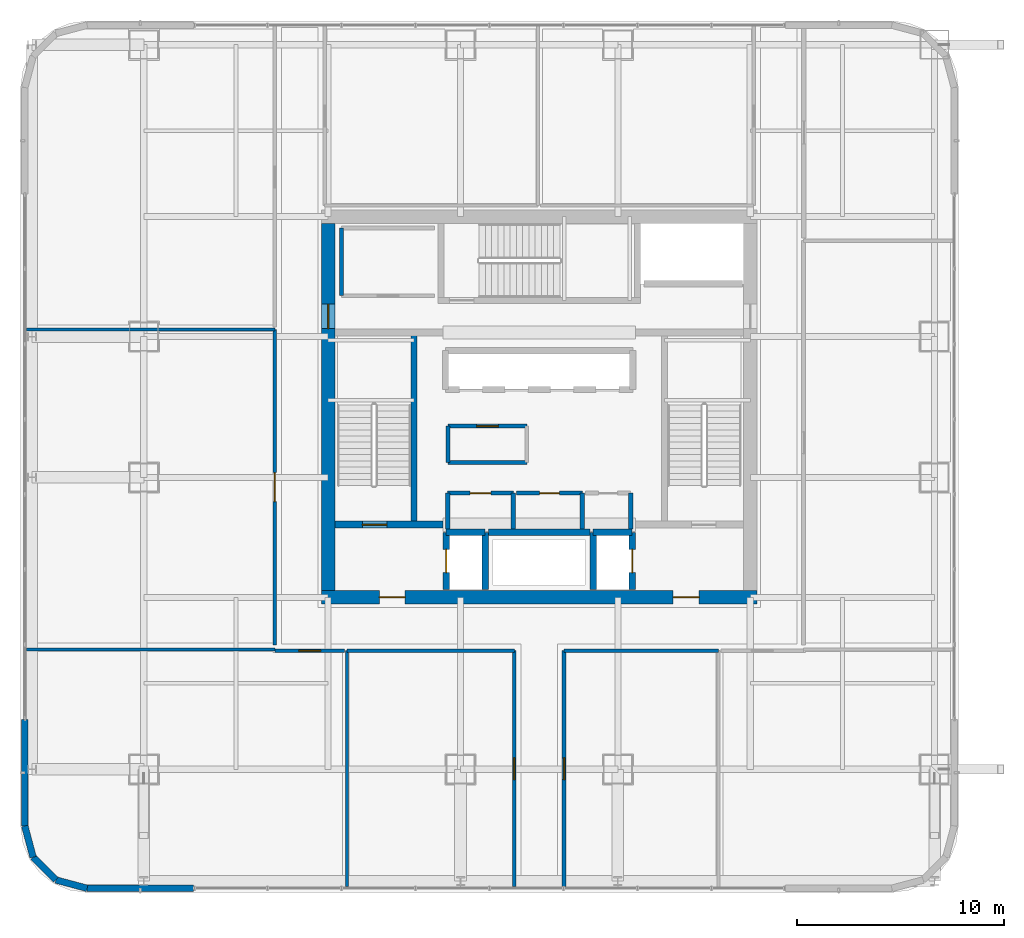
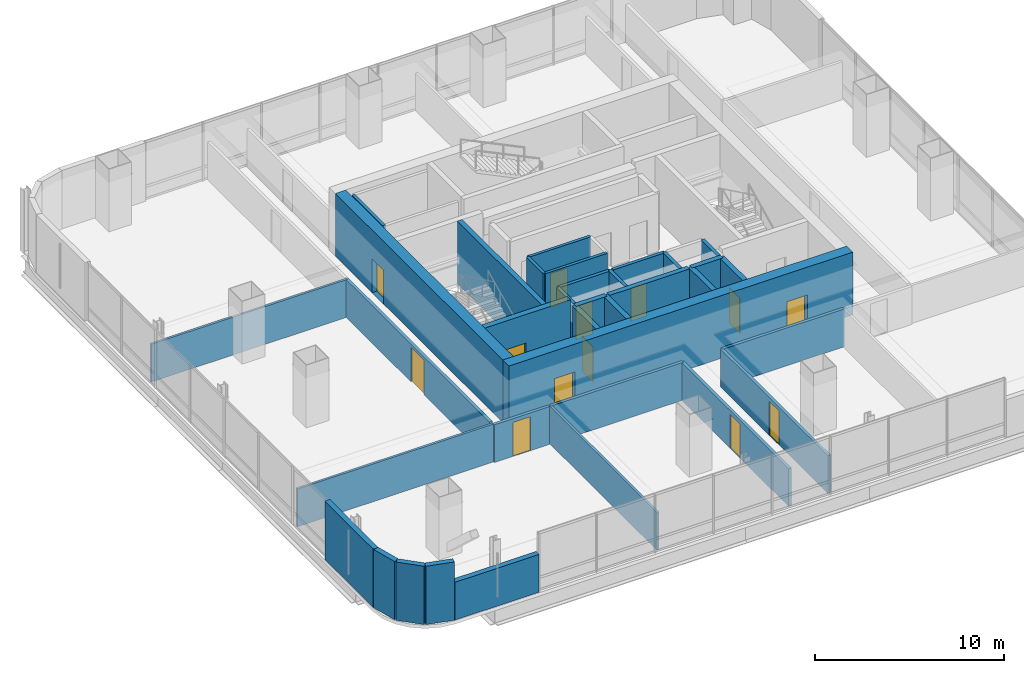
# One storey, part 32 of 46: 35 walls, 13 doors, 13 openings.
"""IFC4 building model written with IfcOpenShell, lengths in metres."""

import ifcopenshell
import ifcopenshell.guid

model = None  # the IFC model being written
_history = None  # IfcOwnerHistory: only IFC2X3 demands one
_inside = {}  # id of a spatial element -> (the spatial element, [elements in it])
_under = {}  # id of a project, library or spatial element -> (it, [spatial elements below it])
_declared = {}  # id of a project -> (the project, [libraries it declares])
_typed = {}  # id of a type object -> (the type object, [elements of that type])
_made_of = {}  # id of a material, layer set ... -> (it, [elements and type objects made of it])


def new_model(schema):
    """Start an empty IFC model of exactly this schema.

    Asked for "IFC4X3", IfcOpenShell would pick the latest addendum, in which some entities
    have other attributes; the version numbers below select the first issue.
    IFC2X3 requires an IfcOwnerHistory on every rooted entity: one is made here for all.
    """
    global model, _history
    if schema == "IFC4X3":
        model = ifcopenshell.file(schema_version=(4, 3, 0, 0))
    else:
        model = ifcopenshell.file(schema=schema)
    _inside.clear()
    _under.clear()
    _declared.clear()
    _typed.clear()
    _made_of.clear()
    _history = None
    if model.schema == "IFC2X3":
        org = make("IfcOrganization", Name="unknown")
        user = make(
            "IfcPersonAndOrganization",
            ThePerson=make("IfcPerson", FamilyName="unknown"),
            TheOrganization=org,
        )
        app = make(
            "IfcApplication",
            ApplicationDeveloper=org,
            Version="unknown",
            ApplicationFullName="unknown",
            ApplicationIdentifier="unknown",
        )
        _history = make(
            "IfcOwnerHistory",
            OwningUser=user,
            OwningApplication=app,
            ChangeAction="ADDED",
            CreationDate=0,
        )
    return model


def make(cls, **values):
    """One entity of the class cls with the attributes given. An attribute that is None is left unset."""
    return model.create_entity(
        cls, **{name: value for name, value in values.items() if value is not None}
    )


def rooted(cls, **values):
    """An entity with a GlobalId (a new one), such as an element, a storey or a relation."""
    return make(cls, GlobalId=ifcopenshell.guid.new(), OwnerHistory=_history, **values)


def si_unit(unit_type, name, prefix=None):
    """IfcSIUnit, for example si_unit("LENGTHUNIT", "METRE", prefix="MILLI")."""
    return make("IfcSIUnit", UnitType=unit_type, Prefix=prefix, Name=name)


def assignment(units):
    """IfcUnitAssignment: the units of a project."""
    return None if units is None else make("IfcUnitAssignment", Units=units)


def point(xyz):
    """IfcCartesianPoint."""
    return None if xyz is None else make("IfcCartesianPoint", Coordinates=xyz)


def direction(xyz):
    """IfcDirection."""
    return None if xyz is None else make("IfcDirection", DirectionRatios=xyz)


def frame(location, z_axis=None, x_axis=None):
    """IfcAxis2Placement3D, a coordinate frame: its origin and axes. An axis left out is left unset."""
    return make(
        "IfcAxis2Placement3D",
        Location=point(location),
        Axis=direction(z_axis),
        RefDirection=direction(x_axis),
    )


def frame_2d(location, x_axis=None):
    """IfcAxis2Placement2D, a coordinate frame in the plane: its origin and x axis."""
    return make(
        "IfcAxis2Placement2D", Location=point(location), RefDirection=direction(x_axis)
    )


def origin():
    """The frame at (0, 0, 0) with its axes left unset."""
    return frame((0.0, 0.0, 0.0))


def place(relative_to, where):
    """IfcLocalPlacement: puts the frame where relative to a parent placement (None: the world)."""
    return make(
        "IfcLocalPlacement", PlacementRelTo=relative_to, RelativePlacement=where
    )


def context(
    kind, dimensions, precision=None, world=None, true_north=None, identifier=None
):
    """IfcGeometricRepresentationContext, for example the 3D "Model" context."""
    return make(
        "IfcGeometricRepresentationContext",
        ContextIdentifier=identifier,
        ContextType=kind,
        CoordinateSpaceDimension=dimensions,
        Precision=precision,
        WorldCoordinateSystem=world,
        TrueNorth=true_north,
    )


def subcontext(parent, identifier, kind, view, scale=None):
    """IfcGeometricRepresentationSubContext, for example "Body" below "Model"."""
    return make(
        "IfcGeometricRepresentationSubContext",
        ContextIdentifier=identifier,
        ContextType=kind,
        ParentContext=parent,
        TargetScale=scale,
        TargetView=view,
    )


def project(units=None, contexts=None):
    """IfcProject with its units and contexts."""
    return rooted(
        "IfcProject",
        Name="project",
        RepresentationContexts=contexts,
        UnitsInContext=assignment(units),
    )


def spatial(cls, under=None, at=None, **own):
    """A site, building, storey or space (cls), placed at a placement, below another one or the project."""
    s = rooted(cls, ObjectPlacement=at, **own)
    if under is not None:
        _under.setdefault(under.id(), (under, []))[1].append(s)
    return s


def profile(cls, at=None, kind="AREA", **sizes):
    """A parametric profile (cls). Its sizes go by their IFC names, for example OverallWidth=200.0."""
    return make(cls, ProfileType=kind, Position=at, **sizes)


def rectangle(**sizes):
    """IfcRectangleProfileDef."""
    return profile("IfcRectangleProfileDef", **sizes)


def extrude(swept, where, along, depth):
    """IfcExtrudedAreaSolid: the profile swept, set in the frame where, extruded along a direction by depth."""
    return make(
        "IfcExtrudedAreaSolid",
        SweptArea=swept,
        Position=where,
        ExtrudedDirection=direction(along),
        Depth=depth,
    )


def shape(context_of_items, identifier, shape_type, items):
    """IfcShapeRepresentation: the items that make up one representation, for example the "Body"."""
    return make(
        "IfcShapeRepresentation",
        ContextOfItems=context_of_items,
        RepresentationIdentifier=identifier,
        RepresentationType=shape_type,
        Items=items,
    )


def material(Name=None, Category=None):
    """IfcMaterial."""
    return make("IfcMaterial", Name=Name, Category=Category)


def layer(
    of_material, thickness, ventilated=None, Name=None, Category=None, Priority=None
):
    """IfcMaterialLayer: one layer of a wall or slab, of a material (None: an air gap)."""
    return make(
        "IfcMaterialLayer",
        Material=of_material,
        LayerThickness=thickness,
        IsVentilated=ventilated,
        Name=Name,
        Category=Category,
        Priority=Priority,
    )


def layer_set(layers, Name=None):
    """IfcMaterialLayerSet."""
    return make("IfcMaterialLayerSet", MaterialLayers=layers, LayerSetName=Name)


def made_of(thing, what):
    """Note that an element or type object is made of a material, layer set ...; save() writes the relation."""
    if what is not None:
        _made_of.setdefault(what.id(), (what, []))[1].append(thing)
    return thing


def type_object(cls, material=None, **own):
    """A type object (cls), such as IfcWallType, which elements share."""
    return made_of(rooted(cls, **own), material)


def element(
    cls,
    number,
    at=None,
    inside=None,
    cuts=None,
    type_object=None,
    material=None,
    context=None,
    identifier="Body",
    shape_type=None,
    held_by="IfcProductDefinitionShape",
    body=None,
    shapes=None,
    **own,
):
    """One element of the class cls, such as IfcWall. Its Tag is "e" and its number.

    at: its placement. inside: the storey or other place that contains it. cuts: it is an
    opening in that element (IfcRelVoidsElement). A single representation is given by context,
    identifier, shape_type and body (its items); several are given by shapes. held_by: the class
    of the entity that holds the representations. save() writes the other relations.
    """
    e = rooted(cls, Tag="e%d" % number, ObjectPlacement=at, **own)
    if body is not None:
        shapes = [shape(context, identifier, shape_type, body)]
    if shapes is not None:
        e.Representation = make(held_by, Representations=shapes)
    if inside is not None:
        _inside.setdefault(inside.id(), (inside, []))[1].append(e)
    if cuts is not None:
        rooted(
            "IfcRelVoidsElement", RelatingBuildingElement=cuts, RelatedOpeningElement=e
        )
    if type_object is not None:
        _typed.setdefault(type_object.id(), (type_object, []))[1].append(e)
    return made_of(e, material)


def fill(opening, filler):
    """IfcRelFillsElement: the door or window that sits in an opening."""
    return rooted(
        "IfcRelFillsElement",
        RelatingOpeningElement=opening,
        RelatedBuildingElement=filler,
    )


def aggregate(whole, parts):
    """IfcRelAggregates: a whole, such as a stair, and the parts it consists of."""
    return rooted("IfcRelAggregates", RelatingObject=whole, RelatedObjects=parts)


def save(model, path):
    """Write the relations noted so far, then the file.

    IfcRelAggregates (storeys below a building ...), IfcRelContainedInSpatialStructure (elements
    in a storey), IfcRelDefinesByType, IfcRelAssociatesMaterial and IfcRelDeclares: one each for
    every whole, place, type object, material and project.
    """
    for whole, parts in _under.values():
        aggregate(whole, parts)
    for where, things in _inside.values():
        rooted(
            "IfcRelContainedInSpatialStructure",
            RelatedElements=things,
            RelatingStructure=where,
        )
    for kind, things in _typed.values():
        rooted("IfcRelDefinesByType", RelatedObjects=things, RelatingType=kind)
    for what, things in _made_of.values():
        rooted("IfcRelAssociatesMaterial", RelatedObjects=things, RelatingMaterial=what)
    for by, libraries in _declared.values():
        rooted("IfcRelDeclares", RelatingContext=by, RelatedDefinitions=libraries)
    model.write(path)


model = new_model("IFC4")

# Units and contexts
model_context = context("Model", 3, precision=1e-05, world=origin(), true_north=direction((0.0, 1.0)))
body_context = subcontext(model_context, "Body", "Model", "MODEL_VIEW")
ifc_project = project(units=[si_unit("LENGTHUNIT", "METRE"), si_unit("AREAUNIT", "SQUARE_METRE"), si_unit("VOLUMEUNIT", "CUBIC_METRE"), si_unit("PLANEANGLEUNIT", "RADIAN"), si_unit("MASSUNIT", "GRAM", prefix="KILO")], contexts=[model_context])

# Site, building, storey
site_placement = place(None, origin())
site = spatial("IfcSite", under=ifc_project, at=site_placement, CompositionType="ELEMENT")
building_placement = place(site_placement, origin())
building = spatial("IfcBuilding", under=site, at=building_placement, Name="Punatoya Terracotta Tower", CompositionType="ELEMENT")
storey_placement = place(building_placement, frame((0.0, 0.0, 200.550048828125)))
storey = spatial("IfcBuildingStorey", under=building, at=storey_placement, Name="L47", CompositionType="ELEMENT", Elevation=200.550048828125)

# Wall, openings, doors
ifc_material_1 = material(Name="Concrete C60/75", Category="concrete")
ifc_layer_1 = layer(ifc_material_1, 0.64990234375)
ifc_layer_set_1 = layer_set([ifc_layer_1], Name="Concrete C60/75")
wall_type_1 = type_object("IfcWallType", Name="WL-COR-650", PredefinedType="SHEAR", material=ifc_layer_set_1)
wall_1_placement = place(storey_placement, frame((10.52490234375, -9.199951171875, 0.0), z_axis=(0.0, 0.0, 1.0), x_axis=(-1.0, 0.0, 0.0)))
wall_1 = element("IfcWall", 1, at=wall_1_placement, inside=storey, type_object=wall_type_1, Name="L47 Core Shear Wall S", PredefinedType="SHEAR", context=body_context, shape_type="SweptSolid", body=[
    extrude(rectangle(XDim=21.0498046875, YDim=0.64990234375, at=frame_2d((10.52490234375, 0.0))), origin(), (0.0, 0.0, 1.0), 4.050048828125),
])
opening_1_placement = place(wall_1_placement, frame((2.800048828125, 0.0, 0.0)))
opening_1 = element("IfcOpeningElement", 2, at=opening_1_placement, cuts=wall_1, Name="Opening FD-L1", PredefinedType="OPENING", context=body_context, shape_type="SweptSolid", body=[
    extrude(rectangle(XDim=1.25, YDim=2.25, at=frame_2d((0.625, 1.125))), frame((0.0, 0.3349609375, 0.0), z_axis=(0.0, -1.0, 0.0), x_axis=(1.0, 0.0, 0.0)), (0.0, 0.0, 1.0), 0.669921875),
])
opening_2_placement = place(wall_1_placement, frame((17.0, 0.0, 0.0)))
opening_2 = element("IfcOpeningElement", 3, at=opening_2_placement, cuts=wall_1, Name="Opening FD-L1", PredefinedType="OPENING", context=body_context, shape_type="SweptSolid", body=[
    extrude(rectangle(XDim=1.25, YDim=2.25, at=frame_2d((0.625, 1.125))), frame((0.0, 0.3349609375, 0.0), z_axis=(0.0, -1.0, 0.0), x_axis=(1.0, 0.0, 0.0)), (0.0, 0.0, 1.0), 0.669921875),
])
ifc_material_2 = material(Name="Galvanised Steel Smokeproof Fire Door", Category="steel")
door_type_1 = type_object("IfcDoorType", Name="DR-FFL-1250", OperationType="NOTDEFINED", PredefinedType="DOOR", material=ifc_material_2)
door_1_placement = place(opening_1_placement, origin())
door_1 = element("IfcDoor", 4, at=door_1_placement, inside=storey, type_object=door_type_1, Name="L47 East Firefighting Lobby Corridor Fire Door", OperationType="SINGLE_SWING_LEFT", OverallHeight=2.25, OverallWidth=1.25, PredefinedType="DOOR", context=body_context, shape_type="SweptSolid", body=[
    extrude(rectangle(XDim=1.25, YDim=2.25, at=frame_2d((0.625, 1.125))), frame((0.0, 0.02490234375, 0.0), z_axis=(0.0, -1.0, 0.0), x_axis=(1.0, 0.0, 0.0)), (0.0, 0.0, 1.0), 0.050048828125),
])
fill(opening_1, door_1)
door_2_placement = place(opening_2_placement, origin())
door_2 = element("IfcDoor", 5, at=door_2_placement, inside=storey, type_object=door_type_1, Name="L47 West Firefighting Lobby Corridor Fire Door", OperationType="SINGLE_SWING_RIGHT", OverallHeight=2.25, OverallWidth=1.25, PredefinedType="DOOR", context=body_context, shape_type="SweptSolid", body=[
    extrude(rectangle(XDim=1.25, YDim=2.25, at=frame_2d((0.625, 1.125))), frame((0.0, 0.02490234375, 0.0), z_axis=(0.0, -1.0, 0.0), x_axis=(1.0, 0.0, 0.0)), (0.0, 0.0, 1.0), 0.050048828125),
])
fill(opening_2, door_2)

# Wall, opening, door
wall_2_placement = place(storey_placement, frame((-10.199951171875, -8.875, 0.0), z_axis=(0.0, 0.0, 1.0), x_axis=(0.0, 1.0, 0.0)))
wall_2 = element("IfcWall", 6, at=wall_2_placement, inside=storey, type_object=wall_type_1, Name="L47 Core Shear Wall W", PredefinedType="SHEAR", context=body_context, shape_type="SweptSolid", body=[
    extrude(rectangle(XDim=17.75, YDim=0.64990234375, at=frame_2d((8.875, 0.0))), origin(), (0.0, 0.0, 1.0), 4.050048828125),
])
opening_3_placement = place(wall_2_placement, frame((12.6650390625, 0.0, 0.0)))
opening_3 = element("IfcOpeningElement", 7, at=opening_3_placement, cuts=wall_2, Name="Opening SD-01", PredefinedType="OPENING", context=body_context, shape_type="SweptSolid", body=[
    extrude(rectangle(XDim=1.179931640625, YDim=2.199951171875, at=frame_2d((0.58984375, 1.10009765625))), frame((0.0, 0.3349609375, 0.0), z_axis=(0.0, -1.0, 0.0), x_axis=(1.0, 0.0, 0.0)), (0.0, 0.0, 1.0), 0.669921875),
])
ifc_material_3 = material(Name="Galvanised Steel Pressurized Stair Fire Door", Category="steel")
door_type_2 = type_object("IfcDoorType", Name="DR-STR-1180", OperationType="NOTDEFINED", PredefinedType="DOOR", material=ifc_material_3)
door_3_placement = place(opening_3_placement, origin())
door_3 = element("IfcDoor", 8, at=door_3_placement, inside=storey, type_object=door_type_2, Name="L47 Central Lift Lobby West Fire Door", OperationType="SINGLE_SWING_LEFT", OverallHeight=2.199951171875, OverallWidth=1.179931640625, PredefinedType="DOOR", context=body_context, shape_type="SweptSolid", body=[
    extrude(rectangle(XDim=1.179931640625, YDim=2.199951171875, at=frame_2d((0.58984375, 1.10009765625))), frame((0.0, 0.02490234375, 0.0), z_axis=(0.0, -1.0, 0.0), x_axis=(1.0, 0.0, 0.0)), (0.0, 0.0, 1.0), 0.050048828125),
])
fill(opening_3, door_3)

ifc_material_4 = material(Name="Gypsum Fireboard + Steel Stud", Category="steel")
ifc_layer_2 = layer(ifc_material_4, 0.179931640625)
ifc_layer_set_2 = layer_set([ifc_layer_2], Name="Gypsum Fireboard + Steel Stud")
wall_type_2 = type_object("IfcWallType", Name="WL-CORR-180", PredefinedType="PARTITIONING", material=ifc_layer_set_2)
wall_3_placement = place(storey_placement, frame((-0.60009765625, -0.919921875, 0.0), z_axis=(0.0, 0.0, 1.0), x_axis=(-1.0, 0.0, 0.0)))
wall_3 = element("IfcWall", 9, at=wall_3_placement, inside=storey, type_object=wall_type_2, Name="L47 West Core Archive Office Partition 09", PredefinedType="PARTITIONING", context=body_context, shape_type="SweptSolid", body=[
    extrude(rectangle(XDim=3.7998046875, YDim=0.179931640625, at=frame_2d((1.89990234375, 0.0))), origin(), (0.0, 0.0, 1.0), 3.77001953125),
])
opening_4_placement = place(wall_3_placement, frame((1.375, 0.0, 0.0)))
opening_4 = element("IfcOpeningElement", 10, at=opening_4_placement, cuts=wall_3, Name="Opening OD-01", PredefinedType="OPENING", context=body_context, shape_type="SweptSolid", body=[
    extrude(rectangle(XDim=1.050048828125, YDim=2.199951171875, at=frame_2d((0.52490234375, 1.10009765625))), frame((0.0, 0.099853515625, 0.0), z_axis=(0.0, -1.0, 0.0), x_axis=(1.0, 0.0, 0.0)), (0.0, 0.0, 1.0), 0.199951171875),
])
ifc_material_5 = material(Name="Bengal Teak Solid-Core Leaf")
door_type_3 = type_object("IfcDoorType", Name="DR-OFF-1050", OperationType="NOTDEFINED", PredefinedType="DOOR", material=ifc_material_5)
door_4_placement = place(opening_4_placement, origin())
door_4 = element("IfcDoor", 11, at=door_4_placement, inside=storey, type_object=door_type_3, Name="L47 West Archive Office Door", OperationType="SINGLE_SWING_RIGHT", OverallHeight=2.199951171875, OverallWidth=1.050048828125, PredefinedType="DOOR", context=body_context, shape_type="SweptSolid", body=[
    extrude(rectangle(XDim=1.050048828125, YDim=2.199951171875, at=frame_2d((0.52490234375, 1.10009765625))), frame((0.0, 0.02490234375, 0.0), z_axis=(0.0, -1.0, 0.0), x_axis=(1.0, 0.0, 0.0)), (0.0, 0.0, 1.0), 0.050048828125),
])
fill(opening_4, door_4)

# Walls
wall_4_placement = place(storey_placement, frame((-4.39990234375, -0.919921875, 0.0), z_axis=(0.0, 0.0, 1.0), x_axis=(0.0, -1.0, 0.0)))
element("IfcWall", 12, at=wall_4_placement, inside=storey, type_object=wall_type_2, Name="L47 West Core Archive Office Partition 10", PredefinedType="PARTITIONING", context=body_context, shape_type="SweptSolid", body=[
    extrude(rectangle(XDim=1.760009765625, YDim=0.179931640625, at=frame_2d((0.8798828125, 0.0))), origin(), (0.0, 0.0, 1.0), 3.77001953125),
])
wall_5_placement = place(storey_placement, frame((-4.39990234375, -2.679931640625, 0.0), z_axis=(0.0, 0.0, 1.0), x_axis=(1.0, 0.0, 0.0)))
element("IfcWall", 13, at=wall_5_placement, inside=storey, type_object=wall_type_2, Name="L47 West Core Archive Office Partition 11", PredefinedType="PARTITIONING", context=body_context, shape_type="SweptSolid", body=[
    extrude(rectangle(XDim=3.7998046875, YDim=0.179931640625, at=frame_2d((1.89990234375, 0.0))), origin(), (0.0, 0.0, 1.0), 3.77001953125),
])
wall_6_placement = place(storey_placement, frame((-9.550048828125, 8.64990234375, 0.0), z_axis=(0.0, 0.0, 1.0), x_axis=(0.0, -1.0, 0.0)))
element("IfcWall", 14, at=wall_6_placement, inside=storey, type_object=wall_type_2, Name="L47 West Core Records Office Partition 13", PredefinedType="PARTITIONING", context=body_context, shape_type="SweptSolid", body=[
    extrude(rectangle(XDim=3.27001953125, YDim=0.179931640625, at=frame_2d((1.635009765625, 0.0))), origin(), (0.0, 0.0, 1.0), 3.77001953125),
])

# Wall, opening, door
wall_7_placement = place(storey_placement, frame((-1.199951171875, -11.77001953125, 0.0), z_axis=(0.0, 0.0, 1.0), x_axis=(0.0, -1.0, 0.0)))
wall_7 = element("IfcWall", 15, at=wall_7_placement, inside=storey, type_object=wall_type_2, Name="L47 Open-Plan Computational Simulation Laboratory Partition 15", PredefinedType="PARTITIONING", context=body_context, shape_type="SweptSolid", body=[
    extrude(rectangle(XDim=11.39990234375, YDim=0.179931640625, at=frame_2d((5.699951171875, 0.0))), origin(), (0.0, 0.0, 1.0), 2.44384765625),
])
opening_5_placement = place(wall_7_placement, frame((5.175048828125, 0.0, 0.0)))
opening_5 = element("IfcOpeningElement", 16, at=opening_5_placement, cuts=wall_7, Name="Opening OD-01", PredefinedType="OPENING", context=body_context, shape_type="SweptSolid", body=[
    extrude(rectangle(XDim=1.050048828125, YDim=2.199951171875, at=frame_2d((0.52490234375, 1.10009765625))), frame((0.0, 0.099853515625, 0.0), z_axis=(0.0, -1.0, 0.0), x_axis=(1.0, 0.0, 0.0)), (0.0, 0.0, 1.0), 0.199951171875),
])
door_5_placement = place(opening_5_placement, origin())
door_5 = element("IfcDoor", 17, at=door_5_placement, inside=storey, type_object=door_type_3, Name="L47 Open-Plan Computational Simulation Laboratory Door", OperationType="SINGLE_SWING_RIGHT", OverallHeight=2.199951171875, OverallWidth=1.050048828125, PredefinedType="DOOR", context=body_context, shape_type="SweptSolid", body=[
    extrude(rectangle(XDim=1.050048828125, YDim=2.199951171875, at=frame_2d((0.52490234375, 1.10009765625))), frame((0.0, 0.02490234375, 0.0), z_axis=(0.0, -1.0, 0.0), x_axis=(1.0, 0.0, 0.0)), (0.0, 0.0, 1.0), 0.050048828125),
])
fill(opening_5, door_5)

# Wall
wall_8_placement = place(storey_placement, frame((-9.284912109375, -11.77001953125, 0.0), z_axis=(0.0, 0.0, 1.0), x_axis=(1.0, 0.0, 0.0)))
element("IfcWall", 18, at=wall_8_placement, inside=storey, type_object=wall_type_2, Name="L47 Open-Plan Computational Simulation Laboratory Partition 17", PredefinedType="PARTITIONING", context=body_context, shape_type="SweptSolid", body=[
    extrude(rectangle(XDim=8.0849609375, YDim=0.179931640625, at=frame_2d((4.04248046875, 0.0))), origin(), (0.0, 0.0, 1.0), 2.44384765625),
])

# Wall, opening, door
wall_9_placement = place(storey_placement, frame((1.199951171875, -23.169921875, 0.0), z_axis=(0.0, 0.0, 1.0), x_axis=(0.0, 1.0, 0.0)))
wall_9 = element("IfcWall", 19, at=wall_9_placement, inside=storey, type_object=wall_type_2, Name="L47 Open-Plan Cartography Reference Library Partition 18", PredefinedType="PARTITIONING", context=body_context, shape_type="SweptSolid", body=[
    extrude(rectangle(XDim=11.39990234375, YDim=0.179931640625, at=frame_2d((5.699951171875, 0.0))), origin(), (0.0, 0.0, 1.0), 2.44384765625),
])
opening_6_placement = place(wall_9_placement, frame((5.175048828125, 0.0, 0.0)))
opening_6 = element("IfcOpeningElement", 20, at=opening_6_placement, cuts=wall_9, Name="Opening OD-01", PredefinedType="OPENING", context=body_context, shape_type="SweptSolid", body=[
    extrude(rectangle(XDim=1.050048828125, YDim=2.199951171875, at=frame_2d((0.52490234375, 1.10009765625))), frame((0.0, 0.099853515625, 0.0), z_axis=(0.0, -1.0, 0.0), x_axis=(1.0, 0.0, 0.0)), (0.0, 0.0, 1.0), 0.199951171875),
])
door_6_placement = place(opening_6_placement, origin())
door_6 = element("IfcDoor", 21, at=door_6_placement, inside=storey, type_object=door_type_3, Name="L47 Open-Plan Cartography Reference Library Door", OperationType="SINGLE_SWING_LEFT", OverallHeight=2.199951171875, OverallWidth=1.050048828125, PredefinedType="DOOR", context=body_context, shape_type="SweptSolid", body=[
    extrude(rectangle(XDim=1.050048828125, YDim=2.199951171875, at=frame_2d((0.52490234375, 1.10009765625))), frame((0.0, 0.02490234375, 0.0), z_axis=(0.0, -1.0, 0.0), x_axis=(1.0, 0.0, 0.0)), (0.0, 0.0, 1.0), 0.050048828125),
])
fill(opening_6, door_6)

# Wall
wall_10_placement = place(storey_placement, frame((1.199951171875, -11.77001953125, 0.0), z_axis=(0.0, 0.0, 1.0), x_axis=(1.0, 0.0, 0.0)))
element("IfcWall", 22, at=wall_10_placement, inside=storey, type_object=wall_type_2, Name="L47 Open-Plan Cartography Reference Library Partition 19", PredefinedType="PARTITIONING", context=body_context, shape_type="SweptSolid", body=[
    extrude(rectangle(XDim=7.4521484375, YDim=0.179931640625, at=frame_2d((3.72607421875, 0.0))), origin(), (0.0, 0.0, 1.0), 2.44384765625),
])

# Wall, opening, door
wall_11_placement = place(storey_placement, frame((-12.77001953125, -11.77001953125, 0.0), z_axis=(0.0, 0.0, 1.0), x_axis=(1.0, 0.0, 0.0)))
wall_11 = element("IfcWall", 23, at=wall_11_placement, inside=storey, type_object=wall_type_2, Name="L47 Materials Testing Laboratory Partition 22", PredefinedType="PARTITIONING", context=body_context, shape_type="SweptSolid", body=[
    extrude(rectangle(XDim=3.364990234375, YDim=0.179931640625, at=frame_2d((1.6826171875, 0.0))), origin(), (0.0, 0.0, 1.0), 2.44384765625),
])
opening_7_placement = place(wall_11_placement, frame((1.157470703125, 0.0, 0.0)))
opening_7 = element("IfcOpeningElement", 24, at=opening_7_placement, cuts=wall_11, Name="Opening OD-01", PredefinedType="OPENING", context=body_context, shape_type="SweptSolid", body=[
    extrude(rectangle(XDim=1.050048828125, YDim=2.199951171875, at=frame_2d((0.52490234375, 1.10009765625))), frame((0.0, 0.099853515625, 0.0), z_axis=(0.0, -1.0, 0.0), x_axis=(1.0, 0.0, 0.0)), (0.0, 0.0, 1.0), 0.199951171875),
])
door_7_placement = place(opening_7_placement, origin())
door_7 = element("IfcDoor", 25, at=door_7_placement, inside=storey, type_object=door_type_3, Name="L47 Materials Testing Laboratory Door", OperationType="SINGLE_SWING_RIGHT", OverallHeight=2.199951171875, OverallWidth=1.050048828125, PredefinedType="DOOR", context=body_context, shape_type="SweptSolid", body=[
    extrude(rectangle(XDim=1.050048828125, YDim=2.199951171875, at=frame_2d((0.52490234375, 1.10009765625))), frame((0.0, 0.02490234375, 0.0), z_axis=(0.0, -1.0, 0.0), x_axis=(1.0, 0.0, 0.0)), (0.0, 0.0, 1.0), 0.050048828125),
])
fill(opening_7, door_7)

wall_12_placement = place(storey_placement, frame((-12.77001953125, 3.739990234375, 0.0), z_axis=(0.0, 0.0, 1.0), x_axis=(0.0, -1.0, 0.0)))
wall_12 = element("IfcWall", 26, at=wall_12_placement, inside=storey, type_object=wall_type_2, Name="L47 Technical Seminar Room Partition 26", PredefinedType="PARTITIONING", context=body_context, shape_type="SweptSolid", body=[
    extrude(rectangle(XDim=15.22998046875, YDim=0.179931640625, at=frame_2d((7.614990234375, 0.0))), origin(), (0.0, 0.0, 1.0), 2.44384765625),
])
opening_8_placement = place(wall_12_placement, frame((6.9150390625, 0.0, 0.0)))
opening_8 = element("IfcOpeningElement", 27, at=opening_8_placement, cuts=wall_12, Name="Opening BD-01", PredefinedType="OPENING", context=body_context, shape_type="SweptSolid", body=[
    extrude(rectangle(XDim=1.39990234375, YDim=2.25, at=frame_2d((0.699951171875, 1.125))), frame((0.0, 0.099853515625, 0.0), z_axis=(0.0, -1.0, 0.0), x_axis=(1.0, 0.0, 0.0)), (0.0, 0.0, 1.0), 0.199951171875),
])
ifc_material_6 = material(Name="Bengal Teak Acoustic Leaf")
door_type_4 = type_object("IfcDoorType", Name="DR-BRD-1400", OperationType="NOTDEFINED", PredefinedType="DOOR", material=ifc_material_6)
door_8_placement = place(opening_8_placement, origin())
door_8 = element("IfcDoor", 28, at=door_8_placement, inside=storey, type_object=door_type_4, Name="L47 Technical Seminar Room Door", OperationType="SINGLE_SWING_RIGHT", OverallHeight=2.25, OverallWidth=1.39990234375, PredefinedType="DOOR", context=body_context, shape_type="SweptSolid", body=[
    extrude(rectangle(XDim=1.39990234375, YDim=2.25, at=frame_2d((0.699951171875, 1.125))), frame((0.0, 0.02490234375, 0.0), z_axis=(0.0, -1.0, 0.0), x_axis=(1.0, 0.0, 0.0)), (0.0, 0.0, 1.0), 0.050048828125),
])
fill(opening_8, door_8)

# Walls
ifc_material_7 = material(Name="Precast concrete C40/50", Category="concrete")
ifc_layer_3 = layer(ifc_material_7, 0.320068359375)
ifc_layer_set_3 = layer_set([ifc_layer_3], Name="Precast concrete C40/50")
wall_type_3 = type_object("IfcWallType", Name="WL-EXT-320", PredefinedType="SOLIDWALL", material=ifc_layer_set_3)
wall_13_placement = place(storey_placement, frame((-21.8369140625, -23.25, 0.0), z_axis=(0.0, 0.0, 1.0), x_axis=(1.0, 0.0, 0.0)))
element("IfcWall", 29, at=wall_13_placement, inside=storey, type_object=wall_type_3, Name="L47 Terracotta Braced Facade Wall S1", PredefinedType="SOLIDWALL", context=body_context, shape_type="SweptSolid", body=[
    extrude(rectangle(XDim=5.136962890625, YDim=0.320068359375, at=frame_2d((2.568359375, 0.0))), origin(), (0.0, 0.0, 1.0), 2.44384765625),
])
wall_14_placement = place(storey_placement, frame((-24.85009765625, -15.10009765625, 0.0), z_axis=(0.0, 0.0, 1.0), x_axis=(0.0, -1.0, 0.0)))
element("IfcWall", 30, at=wall_14_placement, inside=storey, type_object=wall_type_3, Name="L47 Terracotta Braced Facade Wall W2", PredefinedType="SOLIDWALL", context=body_context, shape_type="SweptSolid", body=[
    extrude(rectangle(XDim=5.13671875, YDim=0.320068359375, at=frame_2d((2.568359375, 0.0))), origin(), (0.0, 0.0, 1.0), 3.77001953125),
])
wall_15_placement = place(storey_placement, frame((-24.85009765625, -20.23681640625, 0.0), z_axis=(0.0, 0.0, 1.0), x_axis=(0.257847112249, -0.966185730957, 0.0)))
element("IfcWall", 31, at=wall_15_placement, inside=storey, type_object=wall_type_3, Name="L47 Rounded Terracotta Corner Pier 14", PredefinedType="SOLIDWALL", context=body_context, shape_type="SweptSolid", body=[
    extrude(rectangle(XDim=1.565185546875, YDim=0.320068359375, at=frame_2d((0.78271484375, 0.0))), origin(), (0.0, 0.0, 1.0), 3.77001953125),
])
wall_16_placement = place(storey_placement, frame((-24.446533203125, -21.7490234375, 0.0), z_axis=(0.0, 0.0, 1.0), x_axis=(0.707028130747, -0.707185422879, 0.0)))
element("IfcWall", 32, at=wall_16_placement, inside=storey, type_object=wall_type_3, Name="L47 Rounded Terracotta Corner Pier 15", PredefinedType="SOLIDWALL", context=body_context, shape_type="SweptSolid", body=[
    extrude(rectangle(XDim=1.55224609375, YDim=0.320068359375, at=frame_2d((0.776123046875, 0.0))), origin(), (0.0, 0.0, 1.0), 3.77001953125),
])
wall_17_placement = place(storey_placement, frame((-23.34912109375, -22.8466796875, 0.0), z_axis=(0.0, 0.0, 1.0), x_axis=(0.966224582397, -0.257701486942, 0.0)))
element("IfcWall", 33, at=wall_17_placement, inside=storey, type_object=wall_type_3, Name="L47 Rounded Terracotta Corner Pier 16", PredefinedType="SOLIDWALL", context=body_context, shape_type="SweptSolid", body=[
    extrude(rectangle(XDim=1.565185546875, YDim=0.320068359375, at=frame_2d((0.78271484375, 0.0))), origin(), (0.0, 0.0, 1.0), 3.77001953125),
])
ifc_material_8 = material(Name="Concrete C40/50", Category="concrete")
ifc_layer_4 = layer(ifc_material_8, 0.199951171875)
ifc_layer_set_4 = layer_set([ifc_layer_4], Name="Concrete C40/50")
wall_type_4 = type_object("IfcWallType", Name="WL-INT-200", PredefinedType="SOLIDWALL", material=ifc_layer_set_4)
wall_18_placement = place(storey_placement, frame((-1.25, -5.89990234375, 0.0), z_axis=(0.0, 0.0, 1.0), x_axis=(0.0, 1.0, 0.0)))
element("IfcWall", 34, at=wall_18_placement, inside=storey, type_object=wall_type_4, Name="L47 Accessible Universal Washroom Partition 01", PredefinedType="SOLIDWALL", context=body_context, shape_type="SweptSolid", body=[
    extrude(rectangle(XDim=1.739990234375, YDim=0.199951171875, at=frame_2d((0.8701171875, 0.0))), origin(), (0.0, 0.0, 1.0), 3.77001953125),
])

# Wall, opening, door
wall_19_placement = place(storey_placement, frame((-1.25, -4.159912109375, 0.0), z_axis=(0.0, 0.0, 1.0), x_axis=(-1.0, 0.0, 0.0)))
wall_19 = element("IfcWall", 35, at=wall_19_placement, inside=storey, type_object=wall_type_4, Name="L47 Accessible Universal Washroom Partition 02", PredefinedType="SOLIDWALL", context=body_context, shape_type="SweptSolid", body=[
    extrude(rectangle(XDim=3.169921875, YDim=0.199951171875, at=frame_2d((1.5849609375, 0.0))), origin(), (0.0, 0.0, 1.0), 3.77001953125),
])
opening_9_placement = place(wall_19_placement, frame((1.0849609375, 0.0, 0.0)))
opening_9 = element("IfcOpeningElement", 36, at=opening_9_placement, cuts=wall_19, Name="Opening AWD-1", PredefinedType="OPENING", context=body_context, shape_type="SweptSolid", body=[
    extrude(rectangle(XDim=1.0, YDim=2.14990234375, at=frame_2d((0.5, 1.074951171875))), frame((0.0, 0.10986328125, 0.0), z_axis=(0.0, -1.0, 0.0), x_axis=(1.0, 0.0, 0.0)), (0.0, 0.0, 1.0), 0.219970703125),
])
ifc_material_9 = material(Name="Bengal Teak Accessible WC Leaf")
door_type_5 = type_object("IfcDoorType", Name="DR-ACC-1000", OperationType="NOTDEFINED", PredefinedType="DOOR", material=ifc_material_9)
door_9_placement = place(opening_9_placement, origin())
door_9 = element("IfcDoor", 37, at=door_9_placement, inside=storey, type_object=door_type_5, Name="L47 Accessible Universal Washroom Door", OperationType="SINGLE_SWING_LEFT", OverallHeight=2.14990234375, OverallWidth=1.0, PredefinedType="DOOR", context=body_context, shape_type="SweptSolid", body=[
    extrude(rectangle(XDim=1.0, YDim=2.14990234375, at=frame_2d((0.5, 1.074951171875))), frame((0.0, 0.02490234375, 0.0), z_axis=(0.0, -1.0, 0.0), x_axis=(1.0, 0.0, 0.0)), (0.0, 0.0, 1.0), 0.050048828125),
])
fill(opening_9, door_9)

# Walls
for number, where, z_axis, x_axis, name in (
    (38, (-4.419921875, -4.159912109375, 0.0), (0.0, 0.0, 1.0), (0.0, -1.0, 0.0), "L47 Accessible Universal Washroom Partition 03"),
    (39, (2.080078125, -5.89990234375, 0.0), (0.0, 0.0, 1.0), (0.0, 1.0, 0.0), "L47 All-Gender Universal Washroom Partition 04"),
):
    element("IfcWall", number, at=place(storey_placement, frame(where, z_axis=z_axis, x_axis=x_axis)), inside=storey, type_object=wall_type_4, Name=name, PredefinedType="SOLIDWALL", context=body_context, shape_type="SweptSolid", body=[
        extrude(rectangle(XDim=1.739990234375, YDim=0.199951171875, at=frame_2d((0.8701171875, 0.0))), origin(), (0.0, 0.0, 1.0), 3.77001953125),
    ])

# Wall, opening, door
wall_20_placement = place(storey_placement, frame((2.080078125, -4.159912109375, 0.0), z_axis=(0.0, 0.0, 1.0), x_axis=(-1.0, 0.0, 0.0)))
wall_20 = element("IfcWall", 40, at=wall_20_placement, inside=storey, type_object=wall_type_4, Name="L47 All-Gender Universal Washroom Partition 05", PredefinedType="SOLIDWALL", context=body_context, shape_type="SweptSolid", body=[
    extrude(rectangle(XDim=3.170166015625, YDim=0.199951171875, at=frame_2d((1.5849609375, 0.0))), origin(), (0.0, 0.0, 1.0), 3.77001953125),
])
opening_10_placement = place(wall_20_placement, frame((1.110107421875, 0.0, 0.0)))
opening_10 = element("IfcOpeningElement", 41, at=opening_10_placement, cuts=wall_20, Name="Opening WD-01", PredefinedType="OPENING", context=body_context, shape_type="SweptSolid", body=[
    extrude(rectangle(XDim=0.949951171875, YDim=2.14990234375, at=frame_2d((0.47509765625, 1.074951171875))), frame((0.0, 0.10986328125, 0.0), z_axis=(0.0, -1.0, 0.0), x_axis=(1.0, 0.0, 0.0)), (0.0, 0.0, 1.0), 0.219970703125),
])
ifc_material_10 = material(Name="Moisture-Resistant Laminate Timber Leaf", Category="wood")
door_type_6 = type_object("IfcDoorType", Name="DR-WC-950", OperationType="NOTDEFINED", PredefinedType="DOOR", material=ifc_material_10)
door_10_placement = place(opening_10_placement, origin())
door_10 = element("IfcDoor", 42, at=door_10_placement, inside=storey, type_object=door_type_6, Name="L47 All-Gender Universal Washroom Door", OperationType="SINGLE_SWING_RIGHT", OverallHeight=2.14990234375, OverallWidth=0.949951171875, PredefinedType="DOOR", context=body_context, shape_type="SweptSolid", body=[
    extrude(rectangle(XDim=0.949951171875, YDim=2.14990234375, at=frame_2d((0.47509765625, 1.074951171875))), frame((0.0, 0.02490234375, 0.0), z_axis=(0.0, -1.0, 0.0), x_axis=(1.0, 0.0, 0.0)), (0.0, 0.0, 1.0), 0.050048828125),
])
fill(opening_10, door_10)

# Walls
wall_21_placement = place(storey_placement, frame((4.419921875, -5.89990234375, 0.0), z_axis=(0.0, 0.0, 1.0), x_axis=(0.0, 1.0, 0.0)))
element("IfcWall", 43, at=wall_21_placement, inside=storey, type_object=wall_type_4, Name="L47 Core Electrical Switchgear Room Partition 06", PredefinedType="SOLIDWALL", context=body_context, shape_type="SweptSolid", body=[
    extrude(rectangle(XDim=1.739990234375, YDim=0.199951171875, at=frame_2d((0.8701171875, 0.0))), origin(), (0.0, 0.0, 1.0), 3.77001953125),
])
ifc_material_11 = material(Name="Acoustic Gypsum + Steel Stud", Category="steel")
ifc_layer_5 = layer(ifc_material_11, 0.139892578125)
ifc_layer_set_5 = layer_set([ifc_layer_5], Name="Acoustic Gypsum + Steel Stud")
wall_type_5 = type_object("IfcWallType", Name="WL-OFF-140", PredefinedType="PARTITIONING", material=ifc_layer_set_5)
wall_22_placement = place(storey_placement, frame((-9.284912109375, -23.169921875, 0.0), z_axis=(0.0, 0.0, 1.0), x_axis=(0.0, 1.0, 0.0)))
element("IfcWall", 44, at=wall_22_placement, inside=storey, type_object=wall_type_5, Name="L47 Open-Plan Computational Simulation Laboratory Partition 16", PredefinedType="PARTITIONING", context=body_context, shape_type="SweptSolid", body=[
    extrude(rectangle(XDim=11.39990234375, YDim=0.139892578125, at=frame_2d((5.699951171875, 0.0))), origin(), (0.0, 0.0, 1.0), 2.44384765625),
])
for number, where, z_axis, x_axis, name in (
    (45, (-24.77001953125, -11.7099609375, 0.0), (0.0, 0.0, 1.0), (1.0, 0.0, 0.0), "L47 Materials Testing Laboratory Partition 21"),
    (46, (-24.77001953125, 3.739990234375, 0.0), (0.0, 0.0, 1.0), (1.0, 0.0, 0.0), "L47 Technical Seminar Room Partition 25"),
):
    element("IfcWall", number, at=place(storey_placement, frame(where, z_axis=z_axis, x_axis=x_axis)), inside=storey, type_object=wall_type_5, Name=name, PredefinedType="PARTITIONING", context=body_context, shape_type="SweptSolid", body=[
        extrude(rectangle(XDim=12.0, YDim=0.139892578125, at=frame_2d((6.0, 0.0))), origin(), (0.0, 0.0, 1.0), 2.44384765625),
    ])
ifc_layer_6 = layer(ifc_material_8, 0.300048828125)
ifc_layer_set_6 = layer_set([ifc_layer_6], Name="Concrete C40/50")
wall_type_6 = type_object("IfcWallType", Name="WL-SHF-300", PredefinedType="SOLIDWALL", material=ifc_layer_set_6)
wall_23_placement = place(storey_placement, frame((-6.050048828125, -5.5, 0.0), z_axis=(0.0, 0.0, 1.0), x_axis=(0.0, 1.0, 0.0)))
element("IfcWall", 47, at=wall_23_placement, inside=storey, type_object=wall_type_6, Name="L47 Structural Stair Shaft Wall SW-ST1-E", PredefinedType="SOLIDWALL", context=body_context, shape_type="SweptSolid", body=[
    extrude(rectangle(XDim=8.949951171875, YDim=0.300048828125, at=frame_2d((4.47509765625, 0.0))), origin(), (0.0, 0.0, 1.0), 4.050048828125),
])

# Wall, opening, door
wall_24_placement = place(storey_placement, frame((-4.489990234375, -8.820068359375, 0.0), z_axis=(0.0, 0.0, 1.0), x_axis=(0.0, 1.0, 0.0)))
wall_24 = element("IfcWall", 48, at=wall_24_placement, inside=storey, type_object=wall_type_6, Name="L47 FFL-1 Front Hoistway Wall", PredefinedType="SOLIDWALL", context=body_context, shape_type="SweptSolid", body=[
    extrude(rectangle(XDim=2.77001953125, YDim=0.300048828125, at=frame_2d((1.385009765625, 0.0))), origin(), (0.0, 0.0, 1.0), 3.77001953125),
])
opening_11_placement = place(wall_24_placement, frame((0.824951171875, 0.0, 0.0)))
opening_11 = element("IfcOpeningElement", 49, at=opening_11_placement, cuts=wall_24, Name="Opening LD-02", PredefinedType="OPENING", context=body_context, shape_type="SweptSolid", body=[
    extrude(rectangle(XDim=1.1201171875, YDim=2.25, at=frame_2d((0.56005859375, 1.125))), frame((0.0, 0.159912109375, 0.0), z_axis=(0.0, -1.0, 0.0), x_axis=(1.0, 0.0, 0.0)), (0.0, 0.0, 1.0), 0.320068359375),
])
ifc_material_12 = material(Name="Stainless Steel Lift Landing Door", Category="steel")
door_type_7 = type_object("IfcDoorType", Name="DR-LND-1120", OperationType="NOTDEFINED", PredefinedType="DOOR", material=ifc_material_12)
door_11_placement = place(opening_11_placement, origin())
door_11 = element("IfcDoor", 50, at=door_11_placement, inside=storey, type_object=door_type_7, Name="L47 Firefighting Lift FFL-1 Sliding Landing Door", OperationType="SLIDING_TO_LEFT", OverallHeight=2.25, OverallWidth=1.1201171875, PredefinedType="DOOR", context=body_context, shape_type="SweptSolid", body=[
    extrude(rectangle(XDim=1.1201171875, YDim=2.25, at=frame_2d((0.56005859375, 1.125))), frame((0.0, 0.02490234375, 0.0), z_axis=(0.0, -1.0, 0.0), x_axis=(1.0, 0.0, 0.0)), (0.0, 0.0, 1.0), 0.050048828125),
])
fill(opening_11, door_11)

# Walls
wall_25_placement = place(storey_placement, frame((-2.610107421875, -8.820068359375, 0.0), z_axis=(0.0, 0.0, 1.0), x_axis=(0.0, 1.0, 0.0)))
element("IfcWall", 51, at=wall_25_placement, inside=storey, type_object=wall_type_6, Name="L47 FFL-1 Rear Hoistway Wall", PredefinedType="SOLIDWALL", context=body_context, shape_type="SweptSolid", body=[
    extrude(rectangle(XDim=2.77001953125, YDim=0.300048828125, at=frame_2d((1.385009765625, 0.0))), origin(), (0.0, 0.0, 1.0), 3.77001953125),
])
wall_26_placement = place(storey_placement, frame((-4.489990234375, -6.050048828125, 0.0), z_axis=(0.0, 0.0, 1.0), x_axis=(1.0, 0.0, 0.0)))
element("IfcWall", 52, at=wall_26_placement, inside=storey, type_object=wall_type_6, Name="L47 FFL-1 North Hoistway Wall", PredefinedType="SOLIDWALL", context=body_context, shape_type="SweptSolid", body=[
    extrude(rectangle(XDim=1.8798828125, YDim=0.300048828125, at=frame_2d((0.93994140625, 0.0))), origin(), (0.0, 0.0, 1.0), 3.77001953125),
])

# Wall, opening, door
wall_27_placement = place(storey_placement, frame((4.489990234375, -8.820068359375, 0.0), z_axis=(0.0, 0.0, 1.0), x_axis=(0.0, 1.0, 0.0)))
wall_27 = element("IfcWall", 53, at=wall_27_placement, inside=storey, type_object=wall_type_6, Name="L47 FFL-2 Front Hoistway Wall", PredefinedType="SOLIDWALL", context=body_context, shape_type="SweptSolid", body=[
    extrude(rectangle(XDim=2.77001953125, YDim=0.300048828125, at=frame_2d((1.385009765625, 0.0))), origin(), (0.0, 0.0, 1.0), 3.77001953125),
])
opening_12_placement = place(wall_27_placement, frame((0.824951171875, 0.0, 0.0)))
opening_12 = element("IfcOpeningElement", 54, at=opening_12_placement, cuts=wall_27, Name="Opening LD-02", PredefinedType="OPENING", context=body_context, shape_type="SweptSolid", body=[
    extrude(rectangle(XDim=1.1201171875, YDim=2.25, at=frame_2d((0.56005859375, 1.125))), frame((0.0, 0.159912109375, 0.0), z_axis=(0.0, -1.0, 0.0), x_axis=(1.0, 0.0, 0.0)), (0.0, 0.0, 1.0), 0.320068359375),
])
door_12_placement = place(opening_12_placement, origin())
door_12 = element("IfcDoor", 55, at=door_12_placement, inside=storey, type_object=door_type_7, Name="L47 Firefighting Lift FFL-2 Sliding Landing Door", OperationType="SLIDING_TO_RIGHT", OverallHeight=2.25, OverallWidth=1.1201171875, PredefinedType="DOOR", context=body_context, shape_type="SweptSolid", body=[
    extrude(rectangle(XDim=1.1201171875, YDim=2.25, at=frame_2d((0.56005859375, 1.125))), frame((0.0, 0.02490234375, 0.0), z_axis=(0.0, -1.0, 0.0), x_axis=(1.0, 0.0, 0.0)), (0.0, 0.0, 1.0), 0.050048828125),
])
fill(opening_12, door_12)

# Walls
wall_28_placement = place(storey_placement, frame((2.610107421875, -8.820068359375, 0.0), z_axis=(0.0, 0.0, 1.0), x_axis=(0.0, 1.0, 0.0)))
element("IfcWall", 56, at=wall_28_placement, inside=storey, type_object=wall_type_6, Name="L47 FFL-2 Rear Hoistway Wall", PredefinedType="SOLIDWALL", context=body_context, shape_type="SweptSolid", body=[
    extrude(rectangle(XDim=2.77001953125, YDim=0.300048828125, at=frame_2d((1.385009765625, 0.0))), origin(), (0.0, 0.0, 1.0), 3.77001953125),
])
wall_29_placement = place(storey_placement, frame((2.610107421875, -6.050048828125, 0.0), z_axis=(0.0, 0.0, 1.0), x_axis=(1.0, 0.0, 0.0)))
element("IfcWall", 57, at=wall_29_placement, inside=storey, type_object=wall_type_6, Name="L47 FFL-2 North Hoistway Wall", PredefinedType="SOLIDWALL", context=body_context, shape_type="SweptSolid", body=[
    extrude(rectangle(XDim=1.8798828125, YDim=0.300048828125, at=frame_2d((0.93994140625, 0.0))), origin(), (0.0, 0.0, 1.0), 3.77001953125),
])
wall_30_placement = place(storey_placement, frame((-2.449951171875, -6.050048828125, 0.0), z_axis=(0.0, 0.0, 1.0), x_axis=(1.0, 0.0, 0.0)))
element("IfcWall", 58, at=wall_30_placement, inside=storey, type_object=wall_type_6, Name="L47 Observation Shuttle Rear Hoistway Wall", PredefinedType="SOLIDWALL", context=body_context, shape_type="SweptSolid", body=[
    extrude(rectangle(XDim=4.89990234375, YDim=0.300048828125, at=frame_2d((2.449951171875, 0.0))), origin(), (0.0, 0.0, 1.0), 3.77001953125),
])

# Wall, opening, door
ifc_material_13 = material(Name="Concrete C50/60", Category="concrete")
ifc_layer_7 = layer(ifc_material_13, 0.35009765625)
ifc_layer_set_7 = layer_set([ifc_layer_7], Name="Concrete C50/60")
wall_type_7 = type_object("IfcWallType", Name="WL-SHF-350", PredefinedType="SOLIDWALL", material=ifc_layer_set_7)
wall_31_placement = place(storey_placement, frame((-9.875, -5.679931640625, 0.0), z_axis=(0.0, 0.0, 1.0), x_axis=(1.0, 0.0, 0.0)))
wall_31 = element("IfcWall", 59, at=wall_31_placement, inside=storey, type_object=wall_type_7, Name="L47 Core Web Wall CSW-L", PredefinedType="SOLIDWALL", context=body_context, shape_type="SweptSolid", body=[
    extrude(rectangle(XDim=5.22509765625, YDim=0.35009765625, at=frame_2d((2.612548828125, 0.0))), origin(), (0.0, 0.0, 1.0), 4.050048828125),
])
opening_13_placement = place(wall_31_placement, frame((1.3349609375, 0.0, 0.0)))
opening_13 = element("IfcOpeningElement", 60, at=opening_13_placement, cuts=wall_31, Name="Opening SD-01", PredefinedType="OPENING", context=body_context, shape_type="SweptSolid", body=[
    extrude(rectangle(XDim=1.179931640625, YDim=2.199951171875, at=frame_2d((0.58984375, 1.10009765625))), frame((0.0, 0.18505859375, 0.0), z_axis=(0.0, -1.0, 0.0), x_axis=(1.0, 0.0, 0.0)), (0.0, 0.0, 1.0), 0.3701171875),
])
door_13_placement = place(opening_13_placement, origin())
door_13 = element("IfcDoor", 61, at=door_13_placement, inside=storey, type_object=door_type_2, Name="L47 Stair ST-1 Smokeproof Lobby Fire Door", OperationType="SINGLE_SWING_LEFT", OverallHeight=2.199951171875, OverallWidth=1.179931640625, PredefinedType="DOOR", context=body_context, shape_type="SweptSolid", body=[
    extrude(rectangle(XDim=1.179931640625, YDim=2.199951171875, at=frame_2d((0.58984375, 1.10009765625))), frame((0.0, 0.02490234375, 0.0), z_axis=(0.0, -1.0, 0.0), x_axis=(1.0, 0.0, 0.0)), (0.0, 0.0, 1.0), 0.050048828125),
])
fill(opening_13, door_13)

save(model, "model.ifc")
